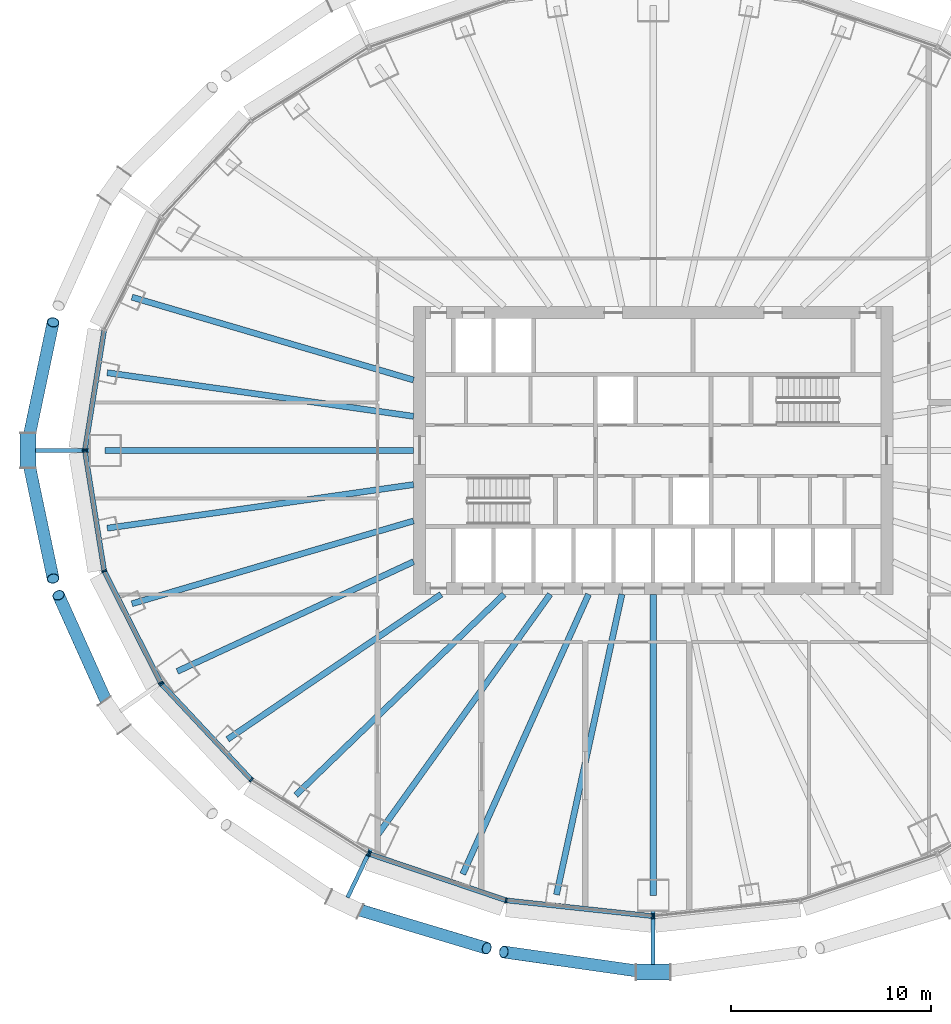
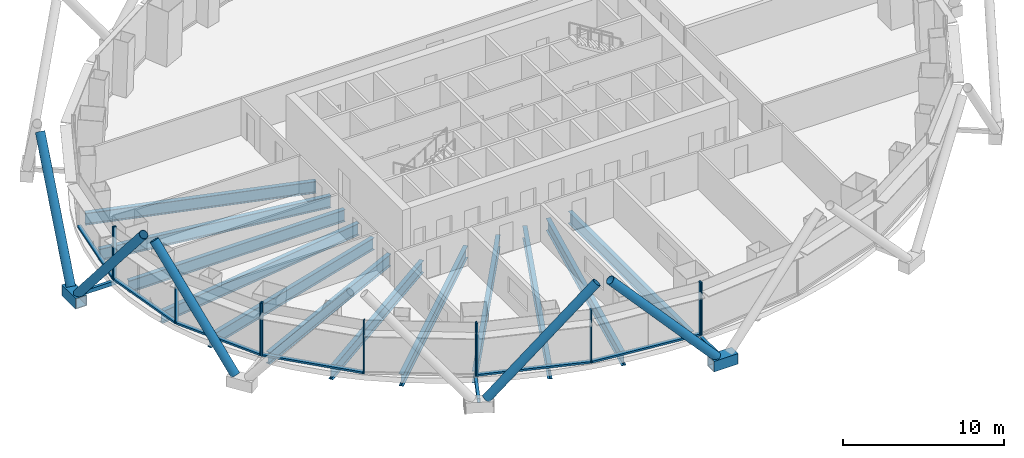
# One storey, part 2 of 16: 27 members, 12 beams, 5 elements without a shape of their own.
"""IFC4 building model written with IfcOpenShell, lengths in metres."""

import ifcopenshell
import ifcopenshell.guid

model = None  # the IFC model being written
_history = None  # IfcOwnerHistory: only IFC2X3 demands one
_inside = {}  # id of a spatial element -> (the spatial element, [elements in it])
_under = {}  # id of a project, library or spatial element -> (it, [spatial elements below it])
_declared = {}  # id of a project -> (the project, [libraries it declares])
_typed = {}  # id of a type object -> (the type object, [elements of that type])
_made_of = {}  # id of a material, layer set ... -> (it, [elements and type objects made of it])


def new_model(schema):
    """Start an empty IFC model of exactly this schema.

    Asked for "IFC4X3", IfcOpenShell would pick the latest addendum, in which some entities
    have other attributes; the version numbers below select the first issue.
    IFC2X3 requires an IfcOwnerHistory on every rooted entity: one is made here for all.
    """
    global model, _history
    if schema == "IFC4X3":
        model = ifcopenshell.file(schema_version=(4, 3, 0, 0))
    else:
        model = ifcopenshell.file(schema=schema)
    _inside.clear()
    _under.clear()
    _declared.clear()
    _typed.clear()
    _made_of.clear()
    _history = None
    if model.schema == "IFC2X3":
        org = make("IfcOrganization", Name="unknown")
        user = make(
            "IfcPersonAndOrganization",
            ThePerson=make("IfcPerson", FamilyName="unknown"),
            TheOrganization=org,
        )
        app = make(
            "IfcApplication",
            ApplicationDeveloper=org,
            Version="unknown",
            ApplicationFullName="unknown",
            ApplicationIdentifier="unknown",
        )
        _history = make(
            "IfcOwnerHistory",
            OwningUser=user,
            OwningApplication=app,
            ChangeAction="ADDED",
            CreationDate=0,
        )
    return model


def make(cls, **values):
    """One entity of the class cls with the attributes given. An attribute that is None is left unset."""
    return model.create_entity(
        cls, **{name: value for name, value in values.items() if value is not None}
    )


def rooted(cls, **values):
    """An entity with a GlobalId (a new one), such as an element, a storey or a relation."""
    return make(cls, GlobalId=ifcopenshell.guid.new(), OwnerHistory=_history, **values)


def si_unit(unit_type, name, prefix=None):
    """IfcSIUnit, for example si_unit("LENGTHUNIT", "METRE", prefix="MILLI")."""
    return make("IfcSIUnit", UnitType=unit_type, Prefix=prefix, Name=name)


def assignment(units):
    """IfcUnitAssignment: the units of a project."""
    return None if units is None else make("IfcUnitAssignment", Units=units)


def point(xyz):
    """IfcCartesianPoint."""
    return None if xyz is None else make("IfcCartesianPoint", Coordinates=xyz)


def direction(xyz):
    """IfcDirection."""
    return None if xyz is None else make("IfcDirection", DirectionRatios=xyz)


def frame(location, z_axis=None, x_axis=None):
    """IfcAxis2Placement3D, a coordinate frame: its origin and axes. An axis left out is left unset."""
    return make(
        "IfcAxis2Placement3D",
        Location=point(location),
        Axis=direction(z_axis),
        RefDirection=direction(x_axis),
    )


def frame_2d(location, x_axis=None):
    """IfcAxis2Placement2D, a coordinate frame in the plane: its origin and x axis."""
    return make(
        "IfcAxis2Placement2D", Location=point(location), RefDirection=direction(x_axis)
    )


def origin():
    """The frame at (0, 0, 0) with its axes left unset."""
    return frame((0.0, 0.0, 0.0))


def origin_2d():
    """The frame at (0, 0) in the plane with its x axis left unset."""
    return frame_2d((0.0, 0.0))


def place(relative_to, where):
    """IfcLocalPlacement: puts the frame where relative to a parent placement (None: the world)."""
    return make(
        "IfcLocalPlacement", PlacementRelTo=relative_to, RelativePlacement=where
    )


def context(
    kind, dimensions, precision=None, world=None, true_north=None, identifier=None
):
    """IfcGeometricRepresentationContext, for example the 3D "Model" context."""
    return make(
        "IfcGeometricRepresentationContext",
        ContextIdentifier=identifier,
        ContextType=kind,
        CoordinateSpaceDimension=dimensions,
        Precision=precision,
        WorldCoordinateSystem=world,
        TrueNorth=true_north,
    )


def subcontext(parent, identifier, kind, view, scale=None):
    """IfcGeometricRepresentationSubContext, for example "Body" below "Model"."""
    return make(
        "IfcGeometricRepresentationSubContext",
        ContextIdentifier=identifier,
        ContextType=kind,
        ParentContext=parent,
        TargetScale=scale,
        TargetView=view,
    )


def project(units=None, contexts=None):
    """IfcProject with its units and contexts."""
    return rooted(
        "IfcProject",
        Name="project",
        RepresentationContexts=contexts,
        UnitsInContext=assignment(units),
    )


def spatial(cls, under=None, at=None, **own):
    """A site, building, storey or space (cls), placed at a placement, below another one or the project."""
    s = rooted(cls, ObjectPlacement=at, **own)
    if under is not None:
        _under.setdefault(under.id(), (under, []))[1].append(s)
    return s


def profile(cls, at=None, kind="AREA", **sizes):
    """A parametric profile (cls). Its sizes go by their IFC names, for example OverallWidth=200.0."""
    return make(cls, ProfileType=kind, Position=at, **sizes)


def rectangle(**sizes):
    """IfcRectangleProfileDef."""
    return profile("IfcRectangleProfileDef", **sizes)


def hollow_rectangle(**sizes):
    """IfcRectangleHollowProfileDef."""
    return profile("IfcRectangleHollowProfileDef", **sizes)


def hollow_circle(**sizes):
    """IfcCircleHollowProfileDef."""
    return profile("IfcCircleHollowProfileDef", **sizes)


def i_section(**sizes):
    """IfcIShapeProfileDef."""
    return profile("IfcIShapeProfileDef", **sizes)


def extrude(swept, where, along, depth):
    """IfcExtrudedAreaSolid: the profile swept, set in the frame where, extruded along a direction by depth."""
    return make(
        "IfcExtrudedAreaSolid",
        SweptArea=swept,
        Position=where,
        ExtrudedDirection=direction(along),
        Depth=depth,
    )


def shape(context_of_items, identifier, shape_type, items):
    """IfcShapeRepresentation: the items that make up one representation, for example the "Body"."""
    return make(
        "IfcShapeRepresentation",
        ContextOfItems=context_of_items,
        RepresentationIdentifier=identifier,
        RepresentationType=shape_type,
        Items=items,
    )


def material(Name=None, Category=None):
    """IfcMaterial."""
    return make("IfcMaterial", Name=Name, Category=Category)


def layer(
    of_material, thickness, ventilated=None, Name=None, Category=None, Priority=None
):
    """IfcMaterialLayer: one layer of a wall or slab, of a material (None: an air gap)."""
    return make(
        "IfcMaterialLayer",
        Material=of_material,
        LayerThickness=thickness,
        IsVentilated=ventilated,
        Name=Name,
        Category=Category,
        Priority=Priority,
    )


def layer_set(layers, Name=None):
    """IfcMaterialLayerSet."""
    return make("IfcMaterialLayerSet", MaterialLayers=layers, LayerSetName=Name)


def material_profile(
    of_material, cross_section, Name=None, Category=None, Priority=None
):
    """IfcMaterialProfile: a cross section and its material."""
    return make(
        "IfcMaterialProfile",
        Name=Name,
        Material=of_material,
        Profile=cross_section,
        Priority=Priority,
        Category=Category,
    )


def profile_set(profiles, Name=None, composite=None):
    """IfcMaterialProfileSet."""
    return make(
        "IfcMaterialProfileSet",
        Name=Name,
        MaterialProfiles=profiles,
        CompositeProfile=composite,
    )


def made_of(thing, what):
    """Note that an element or type object is made of a material, layer set ...; save() writes the relation."""
    if what is not None:
        _made_of.setdefault(what.id(), (what, []))[1].append(thing)
    return thing


def type_object(cls, material=None, **own):
    """A type object (cls), such as IfcWallType, which elements share."""
    return made_of(rooted(cls, **own), material)


def element(
    cls,
    number,
    at=None,
    inside=None,
    cuts=None,
    type_object=None,
    material=None,
    context=None,
    identifier="Body",
    shape_type=None,
    held_by="IfcProductDefinitionShape",
    body=None,
    shapes=None,
    **own,
):
    """One element of the class cls, such as IfcWall. Its Tag is "e" and its number.

    at: its placement. inside: the storey or other place that contains it. cuts: it is an
    opening in that element (IfcRelVoidsElement). A single representation is given by context,
    identifier, shape_type and body (its items); several are given by shapes. held_by: the class
    of the entity that holds the representations. save() writes the other relations.
    """
    e = rooted(cls, Tag="e%d" % number, ObjectPlacement=at, **own)
    if body is not None:
        shapes = [shape(context, identifier, shape_type, body)]
    if shapes is not None:
        e.Representation = make(held_by, Representations=shapes)
    if inside is not None:
        _inside.setdefault(inside.id(), (inside, []))[1].append(e)
    if cuts is not None:
        rooted(
            "IfcRelVoidsElement", RelatingBuildingElement=cuts, RelatedOpeningElement=e
        )
    if type_object is not None:
        _typed.setdefault(type_object.id(), (type_object, []))[1].append(e)
    return made_of(e, material)


def aggregate(whole, parts):
    """IfcRelAggregates: a whole, such as a stair, and the parts it consists of."""
    return rooted("IfcRelAggregates", RelatingObject=whole, RelatedObjects=parts)


def save(model, path):
    """Write the relations noted so far, then the file.

    IfcRelAggregates (storeys below a building ...), IfcRelContainedInSpatialStructure (elements
    in a storey), IfcRelDefinesByType, IfcRelAssociatesMaterial and IfcRelDeclares: one each for
    every whole, place, type object, material and project.
    """
    for whole, parts in _under.values():
        aggregate(whole, parts)
    for where, things in _inside.values():
        rooted(
            "IfcRelContainedInSpatialStructure",
            RelatedElements=things,
            RelatingStructure=where,
        )
    for kind, things in _typed.values():
        rooted("IfcRelDefinesByType", RelatedObjects=things, RelatingType=kind)
    for what, things in _made_of.values():
        rooted("IfcRelAssociatesMaterial", RelatedObjects=things, RelatingMaterial=what)
    for by, libraries in _declared.values():
        rooted("IfcRelDeclares", RelatingContext=by, RelatedDefinitions=libraries)
    model.write(path)


model = new_model("IFC4")

# Units and contexts
model_context = context("Model", 3, precision=1e-05, world=origin(), true_north=direction((0.0, 1.0)))
body_context = subcontext(model_context, "Body", "Model", "MODEL_VIEW")
ifc_project = project(units=[si_unit("LENGTHUNIT", "METRE"), si_unit("AREAUNIT", "SQUARE_METRE"), si_unit("VOLUMEUNIT", "CUBIC_METRE"), si_unit("PLANEANGLEUNIT", "RADIAN"), si_unit("MASSUNIT", "GRAM", prefix="KILO")], contexts=[model_context])

# Site, building, storey
site_placement = place(None, origin())
site = spatial("IfcSite", under=ifc_project, at=site_placement, CompositionType="ELEMENT")
building_placement = place(site_placement, origin())
building = spatial("IfcBuilding", under=site, at=building_placement, Name="Siaravel Broadcast Tower", CompositionType="ELEMENT")
storey_placement = place(building_placement, frame((0.0, 0.0, 28.699951171875)))
storey = spatial("IfcBuildingStorey", under=building, at=storey_placement, Name="L05", CompositionType="ELEMENT", Elevation=28.699951171875)

# Beams
ifc_material_1 = material(Name="Steel S355", Category="steel")
ifc_material_profile_1 = material_profile(ifc_material_1, i_section(OverallWidth=0.30322265625, OverallDepth=0.903076171875, WebThickness=0.01513671875, FlangeThickness=0.020263671875, FilletRadius=0.01904296875, at=origin_2d()))
ifc_profile_set_1 = profile_set([ifc_material_profile_1], Name="Steel S355")
beam_type = type_object("IfcBeamType", Name="BM-UB 914x305x201", PredefinedType="BEAM", material=ifc_profile_set_1)
beam_1_placement = place(storey_placement, frame((-26.09619140625, 7.673095703125, -0.8515625), z_axis=(0.959386931, -0.282093455, 0.0), x_axis=(0.282093455, 0.959386931, 0.0)))
element("IfcBeam", 1, at=beam_1_placement, inside=storey, type_object=beam_type, Name="Radial beam RB17", PredefinedType="BEAM", context=body_context, shape_type="SweptSolid", body=[
    extrude(i_section(OverallWidth=0.30322265625, OverallDepth=0.903076171875, WebThickness=0.01513671875, FlangeThickness=0.020263671875, FilletRadius=0.01904296875, at=origin_2d()), origin(), (0.0, 0.0, 1.0), 14.69287109375),
])
beam_2_placement = place(storey_placement, frame((-27.3330078125, 3.892333984375, -0.8515625), z_axis=(0.990013392, -0.140973342, 0.0), x_axis=(0.140973342, 0.990013392, 0.0)))
element("IfcBeam", 2, at=beam_2_placement, inside=storey, type_object=beam_type, Name="Radial beam RB18", PredefinedType="BEAM", context=body_context, shape_type="SweptSolid", body=[
    extrude(i_section(OverallWidth=0.30322265625, OverallDepth=0.903076171875, WebThickness=0.01513671875, FlangeThickness=0.020263671875, FilletRadius=0.01904296875, at=origin_2d()), origin(), (0.0, 0.0, 1.0), 15.48779296875),
])
beam_3_placement = place(storey_placement, frame((-27.448974609375, 0.0, -0.8515625), z_axis=(1.0, 0.0, 0.0), x_axis=(0.0, 1.0, 0.0)))
element("IfcBeam", 3, at=beam_3_placement, inside=storey, type_object=beam_type, Name="Radial beam RB19", PredefinedType="BEAM", context=body_context, shape_type="SweptSolid", body=[
    extrude(i_section(OverallWidth=0.30322265625, OverallDepth=0.903076171875, WebThickness=0.01513671875, FlangeThickness=0.020263671875, FilletRadius=0.01904296875, at=origin_2d()), origin(), (0.0, 0.0, 1.0), 15.448974609375),
])
beam_4_placement = place(storey_placement, frame((-27.3330078125, -3.892333984375, -0.8515625), z_axis=(0.990013392, 0.140973342, 0.0), x_axis=(-0.140973342, 0.990013392, 0.0)))
element("IfcBeam", 4, at=beam_4_placement, inside=storey, type_object=beam_type, Name="Radial beam RB20", PredefinedType="BEAM", context=body_context, shape_type="SweptSolid", body=[
    extrude(i_section(OverallWidth=0.30322265625, OverallDepth=0.903076171875, WebThickness=0.01513671875, FlangeThickness=0.020263671875, FilletRadius=0.01904296875, at=origin_2d()), origin(), (0.0, 0.0, 1.0), 15.48779296875),
])
beam_5_placement = place(storey_placement, frame((-26.09619140625, -7.673095703125, -0.8515625), z_axis=(0.959386931, 0.282093455, 0.0), x_axis=(-0.282093455, 0.959386931, 0.0)))
element("IfcBeam", 5, at=beam_5_placement, inside=storey, type_object=beam_type, Name="Radial beam RB21", PredefinedType="BEAM", context=body_context, shape_type="SweptSolid", body=[
    extrude(i_section(OverallWidth=0.30322265625, OverallDepth=0.903076171875, WebThickness=0.01513671875, FlangeThickness=0.020263671875, FilletRadius=0.01904296875, at=origin_2d()), origin(), (0.0, 0.0, 1.0), 14.69287109375),
])
beam_6_placement = place(storey_placement, frame((-23.824951171875, -11.05859375, -0.8515625), z_axis=(0.907056733, 0.421008412, 0.0), x_axis=(-0.421008412, 0.907056733, 0.0)))
element("IfcBeam", 6, at=beam_6_placement, inside=storey, type_object=beam_type, Name="Radial beam RB22", PredefinedType="BEAM", context=body_context, shape_type="SweptSolid", body=[
    extrude(i_section(OverallWidth=0.30322265625, OverallDepth=0.903076171875, WebThickness=0.01513671875, FlangeThickness=0.020263671875, FilletRadius=0.01904296875, at=origin_2d()), origin(), (0.0, 0.0, 1.0), 13.03662109375),
])
beam_7_placement = place(storey_placement, frame((-21.310791015625, -14.458984375, -0.8515625), z_axis=(0.827505228, 0.561458011, 0.0), x_axis=(-0.561458011, 0.827505228, 0.0)))
element("IfcBeam", 7, at=beam_7_placement, inside=storey, type_object=beam_type, Name="Radial beam RB23", PredefinedType="BEAM", context=body_context, shape_type="SweptSolid", body=[
    extrude(i_section(OverallWidth=0.30322265625, OverallDepth=0.903076171875, WebThickness=0.01513671875, FlangeThickness=0.020263671875, FilletRadius=0.01904296875, at=origin_2d()), origin(), (0.0, 0.0, 1.0), 12.928955078125),
])
beam_8_placement = place(storey_placement, frame((-17.897705078125, -17.25439453125, -0.8515625), z_axis=(0.719923086, 0.694053852, 0.0), x_axis=(-0.694053852, 0.719923086, 0.0)))
element("IfcBeam", 8, at=beam_8_placement, inside=storey, type_object=beam_type, Name="Radial beam RB24", PredefinedType="BEAM", context=body_context, shape_type="SweptSolid", body=[
    extrude(i_section(OverallWidth=0.30322265625, OverallDepth=0.903076171875, WebThickness=0.01513671875, FlangeThickness=0.020263671875, FilletRadius=0.01904296875, at=origin_2d()), origin(), (0.0, 0.0, 1.0), 14.486572265625),
])
beam_9_placement = place(storey_placement, frame((-13.80419921875, -19.25732421875, -0.8515625), z_axis=(0.582605738, 0.812754917, 0.0), x_axis=(-0.812754917, 0.582605738, 0.0)))
element("IfcBeam", 9, at=beam_9_placement, inside=storey, type_object=beam_type, Name="Radial beam RB25", PredefinedType="BEAM", context=body_context, shape_type="SweptSolid", body=[
    extrude(i_section(OverallWidth=0.30322265625, OverallDepth=0.903076171875, WebThickness=0.01513671875, FlangeThickness=0.020263671875, FilletRadius=0.01904296875, at=origin_2d()), origin(), (0.0, 0.0, 1.0), 14.835205078125),
])
beam_10_placement = place(storey_placement, frame((-9.535888671875, -21.2080078125, -0.8515625), z_axis=(0.41009169, 0.9120443, 0.0), x_axis=(-0.9120443, 0.41009169, 0.0)))
element("IfcBeam", 10, at=beam_10_placement, inside=storey, type_object=beam_type, Name="Radial beam RB26", PredefinedType="BEAM", context=body_context, shape_type="SweptSolid", body=[
    extrude(i_section(OverallWidth=0.30322265625, OverallDepth=0.903076171875, WebThickness=0.01513671875, FlangeThickness=0.020263671875, FilletRadius=0.01904296875, at=origin_2d()), origin(), (0.0, 0.0, 1.0), 15.35888671875),
])
beam_11_placement = place(storey_placement, frame((-4.843017578125, -22.23779296875, -0.8515625), z_axis=(0.212789875, 0.977097983, 0.0), x_axis=(-0.977097983, 0.212789875, 0.0)))
element("IfcBeam", 11, at=beam_11_placement, inside=storey, type_object=beam_type, Name="Radial beam RB27", PredefinedType="BEAM", context=body_context, shape_type="SweptSolid", body=[
    extrude(i_section(OverallWidth=0.30322265625, OverallDepth=0.903076171875, WebThickness=0.01513671875, FlangeThickness=0.020263671875, FilletRadius=0.01904296875, at=origin_2d()), origin(), (0.0, 0.0, 1.0), 15.390380859375),
])
beam_12_placement = place(storey_placement, frame((0.0, -22.284912109375, -0.8515625), z_axis=(0.0, 1.0, 0.0), x_axis=(-1.0, 0.0, 0.0)))
element("IfcBeam", 12, at=beam_12_placement, inside=storey, type_object=beam_type, Name="Radial beam RB28", PredefinedType="BEAM", context=body_context, shape_type="SweptSolid", body=[
    extrude(i_section(OverallWidth=0.30322265625, OverallDepth=0.903076171875, WebThickness=0.01513671875, FlangeThickness=0.020263671875, FilletRadius=0.01904296875, at=origin_2d()), origin(), (0.0, 0.0, 1.0), 15.0849609375),
])

# Curtain wall, member
ifc_material_2 = material(Name="Aluminium 6063-T6", Category="aluminium")
ifc_layer = layer(ifc_material_2, 0.25)
ifc_layer_set = layer_set([ifc_layer], Name="Aluminium 6063-T6")
curtain_wall_type = type_object("IfcCurtainWallType", Name="Podium newsroom glazing", PredefinedType="NOTDEFINED", material=ifc_layer_set)
curtain_wall_1_placement = place(storey_placement, origin())
curtain_wall_1 = element("IfcCurtainWall", 13, at=curtain_wall_1_placement, inside=storey, type_object=curtain_wall_type, Name="L05 Podium newsroom glazing 06", PredefinedType="NOTDEFINED")
ifc_material_profile_2 = material_profile(ifc_material_2, rectangle(XDim=0.25, YDim=0.080078125, at=origin_2d()))
ifc_profile_set_2 = profile_set([ifc_material_profile_2], Name="Aluminium 6063-T6")
member_type_1 = type_object("IfcMemberType", Name="CW-PD mullion", PredefinedType="MULLION", material=ifc_profile_set_2)
member_1_placement = place(storey_placement, frame((-28.447265625, 0.03955078125, 0.0), z_axis=(0.0, 0.0, 1.0), x_axis=(0.987329072, -0.158686178, 0.0)))
member_1 = element("IfcMember", 14, at=member_1_placement, type_object=member_type_1, Name="CW-PD mullion 3", PredefinedType="MULLION", context=body_context, shape_type="SweptSolid", body=[
    extrude(rectangle(XDim=0.25, YDim=0.080078125, at=origin_2d()), origin(), (0.0, 0.0, 1.0), 4.0),
])

# Curtain wall, members
curtain_wall_2_placement = place(storey_placement, origin())
curtain_wall_2 = element("IfcCurtainWall", 15, at=curtain_wall_2_placement, inside=storey, type_object=curtain_wall_type, Name="L05 Podium newsroom glazing 07", PredefinedType="NOTDEFINED")
member_2_placement = place(storey_placement, frame((-28.447265625, -0.03955078125, 0.0), z_axis=(0.0, 0.0, 1.0), x_axis=(0.987329072, 0.158686178, 0.0)))
member_2 = element("IfcMember", 16, at=member_2_placement, type_object=member_type_1, Name="CW-PD mullion 1", PredefinedType="MULLION", context=body_context, shape_type="SweptSolid", body=[
    extrude(rectangle(XDim=0.25, YDim=0.080078125, at=origin_2d()), origin(), (0.0, 0.0, 1.0), 4.0),
])
member_3_placement = place(storey_placement, frame((-27.4833984375, -6.037109375, 0.0), z_axis=(0.0, 0.0, 1.0), x_axis=(0.951176868, 0.308646343, 0.0)))
member_3 = element("IfcMember", 17, at=member_3_placement, type_object=member_type_1, Name="CW-PD mullion 2", PredefinedType="MULLION", context=body_context, shape_type="SweptSolid", body=[
    extrude(rectangle(XDim=0.25, YDim=0.080078125, at=origin_2d()), origin(), (0.0, 0.0, 1.0), 4.0),
])
member_4_placement = place(storey_placement, frame((-24.6572265625, -11.6259765625, 0.0), z_axis=(0.0, 0.0, 1.0), x_axis=(0.89239138, 0.451262258, 0.0)))
member_4 = element("IfcMember", 18, at=member_4_placement, type_object=member_type_1, Name="CW-PD mullion 3", PredefinedType="MULLION", context=body_context, shape_type="SweptSolid", body=[
    extrude(rectangle(XDim=0.25, YDim=0.080078125, at=origin_2d()), origin(), (0.0, 0.0, 1.0), 4.0),
])

curtain_wall_3_placement = place(storey_placement, origin())
curtain_wall_3 = element("IfcCurtainWall", 19, at=curtain_wall_3_placement, inside=storey, type_object=curtain_wall_type, Name="L05 Podium newsroom glazing 08", PredefinedType="NOTDEFINED")
member_5_placement = place(storey_placement, frame((-24.61181640625, -11.69091796875, 0.0), z_axis=(0.0, 0.0, 1.0), x_axis=(0.729804146, 0.68365628, 0.0)))
member_5 = element("IfcMember", 20, at=member_5_placement, type_object=member_type_1, Name="CW-PD mullion 1", PredefinedType="MULLION", context=body_context, shape_type="SweptSolid", body=[
    extrude(rectangle(XDim=0.25, YDim=0.080078125, at=origin_2d()), origin(), (0.0, 0.0, 1.0), 4.0),
])
member_6_placement = place(storey_placement, frame((-20.1162109375, -16.489990234375, 0.0), z_axis=(0.0, 0.0, 1.0), x_axis=(0.636217558, 0.771509701, 0.0)))
member_6 = element("IfcMember", 21, at=member_6_placement, type_object=member_type_1, Name="CW-PD mullion 2", PredefinedType="MULLION", context=body_context, shape_type="SweptSolid", body=[
    extrude(rectangle(XDim=0.25, YDim=0.080078125, at=origin_2d()), origin(), (0.0, 0.0, 1.0), 4.0),
])
member_7_placement = place(storey_placement, frame((-14.257080078125, -20.172607421875, 0.0), z_axis=(0.0, 0.0, 1.0), x_axis=(0.532148221, 0.84665121, 0.0)))
member_7 = element("IfcMember", 22, at=member_7_placement, type_object=member_type_1, Name="CW-PD mullion 3", PredefinedType="MULLION", context=body_context, shape_type="SweptSolid", body=[
    extrude(rectangle(XDim=0.25, YDim=0.080078125, at=origin_2d()), origin(), (0.0, 0.0, 1.0), 4.0),
])

curtain_wall_4_placement = place(storey_placement, origin())
curtain_wall_4 = element("IfcCurtainWall", 23, at=curtain_wall_4_placement, inside=storey, type_object=curtain_wall_type, Name="L05 Podium newsroom glazing 09", PredefinedType="NOTDEFINED")
member_8_placement = place(storey_placement, frame((-14.185302734375, -20.206787109375, 0.0), z_axis=(0.0, 0.0, 1.0), x_axis=(0.321299974, 0.946977469, 0.0)))
member_8 = element("IfcMember", 24, at=member_8_placement, type_object=member_type_1, Name="CW-PD mullion 1", PredefinedType="MULLION", context=body_context, shape_type="SweptSolid", body=[
    extrude(rectangle(XDim=0.25, YDim=0.080078125, at=origin_2d()), origin(), (0.0, 0.0, 1.0), 4.0),
])
member_9_placement = place(storey_placement, frame((-7.362060546875, -22.521728515625, 0.0), z_axis=(0.0, 0.0, 1.0), x_axis=(0.215557626, 0.976491121, 0.0)))
member_9 = element("IfcMember", 25, at=member_9_placement, type_object=member_type_1, Name="CW-PD mullion 2", PredefinedType="MULLION", context=body_context, shape_type="SweptSolid", body=[
    extrude(rectangle(XDim=0.25, YDim=0.080078125, at=origin_2d()), origin(), (0.0, 0.0, 1.0), 4.0),
])
member_10_placement = place(storey_placement, frame((-0.039794921875, -23.311279296875, 0.0), z_axis=(0.0, 0.0, 1.0), x_axis=(0.107217269, 0.994235615, 0.0)))
member_10 = element("IfcMember", 26, at=member_10_placement, type_object=member_type_1, Name="CW-PD mullion 3", PredefinedType="MULLION", context=body_context, shape_type="SweptSolid", body=[
    extrude(rectangle(XDim=0.25, YDim=0.080078125, at=origin_2d()), origin(), (0.0, 0.0, 1.0), 4.0),
])

# Curtain wall, member
curtain_wall_5_placement = place(storey_placement, origin())
curtain_wall_5 = element("IfcCurtainWall", 27, at=curtain_wall_5_placement, inside=storey, type_object=curtain_wall_type, Name="L05 Podium newsroom glazing 10", PredefinedType="NOTDEFINED")
member_11_placement = place(storey_placement, frame((0.039794921875, -23.311279296875, 0.0), z_axis=(0.0, 0.0, 1.0), x_axis=(-0.107217269, 0.994235615, 0.0)))
member_11 = element("IfcMember", 28, at=member_11_placement, type_object=member_type_1, Name="CW-PD mullion 1", PredefinedType="MULLION", context=body_context, shape_type="SweptSolid", body=[
    extrude(rectangle(XDim=0.25, YDim=0.080078125, at=origin_2d()), origin(), (0.0, 0.0, 1.0), 4.0),
])
aggregate(curtain_wall_5, [member_11])

# Member
ifc_material_profile_3 = material_profile(ifc_material_2, rectangle(XDim=0.25, YDim=0.139892578125, at=origin_2d()))
ifc_profile_set_3 = profile_set([ifc_material_profile_3], Name="Aluminium 6063-T6")
member_type_2 = type_object("IfcMemberType", Name="CW-PD transom", PredefinedType="USERDEFINED", material=ifc_profile_set_3)
member_12_placement = place(storey_placement, frame((-27.489501953125, 5.997802734375, 0.070068359375), z_axis=(-0.158709998, -0.987325244, 0.0), x_axis=(0.987325244, -0.158709998, 0.0)))
member_12 = element("IfcMember", 29, at=member_12_placement, type_object=member_type_2, Name="CW-PD transom 2", ObjectType="TRANSOM", PredefinedType="USERDEFINED", context=body_context, shape_type="SweptSolid", body=[
    extrude(rectangle(XDim=0.25, YDim=0.139892578125, at=origin_2d()), origin(), (0.0, 0.0, 1.0), 5.99462890625),
])

aggregate(curtain_wall_1, [member_1, member_12])

member_13_placement = place(storey_placement, frame((-28.44091796875, -0.0791015625, 0.070068359375), z_axis=(0.158709998, -0.987325244, 0.0), x_axis=(0.987325244, 0.158709998, 0.0)))
member_13 = element("IfcMember", 30, at=member_13_placement, type_object=member_type_2, Name="CW-PD transom 1", ObjectType="TRANSOM", PredefinedType="USERDEFINED", context=body_context, shape_type="SweptSolid", body=[
    extrude(rectangle(XDim=0.25, YDim=0.139892578125, at=origin_2d()), origin(), (0.0, 0.0, 1.0), 5.99462890625),
])

member_14_placement = place(storey_placement, frame((-27.465087890625, -6.07275390625, 0.070068359375), z_axis=(0.451221003, -0.89241224, 0.0), x_axis=(0.89241224, 0.451221003, 0.0)))
member_14 = element("IfcMember", 31, at=member_14_placement, type_object=member_type_2, Name="CW-PD transom 2", ObjectType="TRANSOM", PredefinedType="USERDEFINED", context=body_context, shape_type="SweptSolid", body=[
    extrude(rectangle(XDim=0.25, YDim=0.139892578125, at=origin_2d()), origin(), (0.0, 0.0, 1.0), 6.182861328125),
])

aggregate(curtain_wall_2, [member_2, member_3, member_4, member_13, member_14])

member_15_placement = place(storey_placement, frame((-24.58447265625, -11.719970703125, 0.070068359375), z_axis=(0.683673548, -0.729787969, 0.0), x_axis=(0.729787969, 0.683673548, 0.0)))
member_15 = element("IfcMember", 32, at=member_15_placement, type_object=member_type_2, Name="CW-PD transom 1", ObjectType="TRANSOM", PredefinedType="USERDEFINED", context=body_context, shape_type="SweptSolid", body=[
    extrude(rectangle(XDim=0.25, YDim=0.139892578125, at=origin_2d()), origin(), (0.0, 0.0, 1.0), 6.49609375),
])

aggregate(curtain_wall_3, [member_5, member_6, member_7, member_15])

member_16_placement = place(storey_placement, frame((-14.1474609375, -20.219482421875, 0.070068359375), z_axis=(0.946980562, -0.321290858, 0.0), x_axis=(0.321290858, 0.946980562, 0.0)))
member_16 = element("IfcMember", 33, at=member_16_placement, type_object=member_type_2, Name="CW-PD transom 1", ObjectType="TRANSOM", PredefinedType="USERDEFINED", context=body_context, shape_type="SweptSolid", body=[
    extrude(rectangle(XDim=0.25, YDim=0.139892578125, at=origin_2d()), origin(), (0.0, 0.0, 1.0), 7.125244140625),
])

member_17_placement = place(storey_placement, frame((-7.322265625, -22.526123046875, 0.070068359375), z_axis=(0.994236146, -0.107212345, 0.0), x_axis=(0.107212345, 0.994236146, 0.0)))
member_17 = element("IfcMember", 34, at=member_17_placement, type_object=member_type_2, Name="CW-PD transom 2", ObjectType="TRANSOM", PredefinedType="USERDEFINED", context=body_context, shape_type="SweptSolid", body=[
    extrude(rectangle(XDim=0.25, YDim=0.139892578125, at=origin_2d()), origin(), (0.0, 0.0, 1.0), 7.28466796875),
])

aggregate(curtain_wall_4, [member_8, member_9, member_10, member_16, member_17])

# Members
ifc_material_3 = material(Name="Steel S460", Category="steel")
ifc_material_profile_4 = material_profile(ifc_material_3, hollow_circle(Radius=0.304931640625, WallThickness=0.02490234375, at=origin_2d()))
ifc_profile_set_4 = profile_set([ifc_material_profile_4], Name="Steel S460")
member_type_3 = type_object("IfcMemberType", Name="Diagrid diagonal CHS 610x25", PredefinedType="BRACE", material=ifc_profile_set_4)
for number, where, z_axis, x_axis, name in (
    (35, (-31.299560546875, 0.435546875, 0.170166015625), (0.128310999, 0.610311892, 0.781700507), (-0.978606546, 0.205740681, 0.0), "Diagrid diagonal R03 station 36C"),
    (36, (-31.299560546875, -0.435546875, 0.170166015625), (0.128310999, -0.610311892, 0.781700507), (0.978606546, 0.205740681, 0.0), "Diagrid diagonal R03 station 36A"),
):
    element("IfcMember", number, at=place(storey_placement, frame(where, z_axis=z_axis, x_axis=x_axis)), inside=storey, type_object=member_type_3, Name=name, PredefinedType="BRACE", context=body_context, shape_type="SweptSolid", body=[
        extrude(hollow_circle(Radius=0.304931640625, WallThickness=0.02490234375, at=origin_2d()), origin(), (0.0, 0.0, 1.0), 9.799072265625),
    ])
member_18_placement = place(storey_placement, frame((-27.23046875, -12.89599609375, 0.170166015625), z_axis=(-0.257898381, 0.573655403, 0.777436752), x_axis=(-0.912068139, -0.410038668, 0.0)))
element("IfcMember", 37, at=member_18_placement, inside=storey, type_object=member_type_3, Name="Diagrid diagonal R03 station 42C", PredefinedType="BRACE", context=body_context, shape_type="SweptSolid", body=[
    extrude(hollow_circle(Radius=0.304931640625, WallThickness=0.02490234375, at=origin_2d()), origin(), (0.0, 0.0, 1.0), 9.852783203125),
])
member_19_placement = place(storey_placement, frame((-15.067626953125, -22.895263671875, 0.170166015625), z_axis=(0.647594304, -0.19465398, 0.736703092), x_axis=(0.287857547, 0.957673239, 0.0)))
element("IfcMember", 38, at=member_19_placement, inside=storey, type_object=member_type_3, Name="Diagrid diagonal R03 station 48A", PredefinedType="BRACE", context=body_context, shape_type="SweptSolid", body=[
    extrude(hollow_circle(Radius=0.304931640625, WallThickness=0.02490234375, at=origin_2d()), origin(), (0.0, 0.0, 1.0), 10.3974609375),
])
member_20_placement = place(storey_placement, frame((-0.435546875, -26.108154296875, 0.170166015625), z_axis=(-0.673977872, 0.095838962, 0.732508513), x_axis=(-0.140782746, -0.990040514, 0.0)))
element("IfcMember", 39, at=member_20_placement, inside=storey, type_object=member_type_3, Name="Diagrid diagonal R03 station 54C", PredefinedType="BRACE", context=body_context, shape_type="SweptSolid", body=[
    extrude(hollow_circle(Radius=0.304931640625, WallThickness=0.02490234375, at=origin_2d()), origin(), (0.0, 0.0, 1.0), 10.45703125),
])
ifc_material_profile_5 = material_profile(ifc_material_3, hollow_rectangle(XDim=0.800048828125, YDim=0.800048828125, WallThickness=0.050048828125, at=origin_2d()))
ifc_profile_set_5 = profile_set([ifc_material_profile_5], Name="Steel S460")
member_type_4 = type_object("IfcMemberType", Name="Diagrid node BOX 800x800x50", PredefinedType="USERDEFINED", material=ifc_profile_set_5)
for number, where, z_axis, x_axis, name in (
    (40, (-31.299560546875, 0.860595703125, -0.199951171875), (0.0, -1.0, 0.0), (1.0, 0.0, 0.0), "Diagrid node R03 station 36"),
    (41, (-0.860595703125, -26.108154296875, -0.199951171875), (1.0, 0.0, 0.0), (0.0, 1.0, 0.0), "Diagrid node R03 station 54"),
):
    element("IfcMember", number, at=place(storey_placement, frame(where, z_axis=z_axis, x_axis=x_axis)), inside=storey, type_object=member_type_4, Name=name, ObjectType="DIAGRID NODE", PredefinedType="USERDEFINED", context=body_context, shape_type="SweptSolid", body=[
        extrude(hollow_rectangle(XDim=0.800048828125, YDim=0.800048828125, WallThickness=0.050048828125, at=origin_2d()), origin(), (0.0, 0.0, 1.0), 1.72119140625),
    ])
ifc_material_profile_6 = material_profile(ifc_material_3, hollow_rectangle(XDim=0.199951171875, YDim=0.300048828125, WallThickness=0.012451171875, at=origin_2d()))
ifc_profile_set_6 = profile_set([ifc_material_profile_6], Name="Steel S460")
member_type_5 = type_object("IfcMemberType", Name="Diagrid node arm RHS 300x200x12.5", PredefinedType="STRUT", material=ifc_profile_set_6)
member_21_placement = place(storey_placement, frame((-28.218994140625, 0.0, -0.199951171875), z_axis=(-1.0, 0.0, 0.0), x_axis=(0.0, -1.0, 0.0)))
element("IfcMember", 42, at=member_21_placement, inside=storey, type_object=member_type_5, Name="Node arm R03 station 36", PredefinedType="STRUT", context=body_context, shape_type="SweptSolid", body=[
    extrude(hollow_rectangle(XDim=0.199951171875, YDim=0.300048828125, WallThickness=0.012451171875, at=origin_2d()), origin(), (0.0, 0.0, 1.0), 2.71044921875),
])
member_22_placement = place(storey_placement, frame((-14.137451171875, -19.951416015625, -0.199951171875), z_axis=(-0.432810761, -0.9014848, 0.0), x_axis=(0.9014848, -0.432810761, 0.0)))
element("IfcMember", 43, at=member_22_placement, inside=storey, type_object=member_type_5, Name="Node arm R03 station 48", PredefinedType="STRUT", context=body_context, shape_type="SweptSolid", body=[
    extrude(hollow_rectangle(XDim=0.199951171875, YDim=0.300048828125, WallThickness=0.012451171875, at=origin_2d()), origin(), (0.0, 0.0, 1.0), 2.68896484375),
])
member_23_placement = place(storey_placement, frame((0.0, -23.0546875, -0.199951171875), z_axis=(0.0, -1.0, 0.0), x_axis=(1.0, 0.0, 0.0)))
element("IfcMember", 44, at=member_23_placement, inside=storey, type_object=member_type_5, Name="Node arm R03 station 54", PredefinedType="STRUT", context=body_context, shape_type="SweptSolid", body=[
    extrude(hollow_rectangle(XDim=0.199951171875, YDim=0.300048828125, WallThickness=0.012451171875, at=origin_2d()), origin(), (0.0, 0.0, 1.0), 2.683349609375),
])

save(model, "model.ifc")
